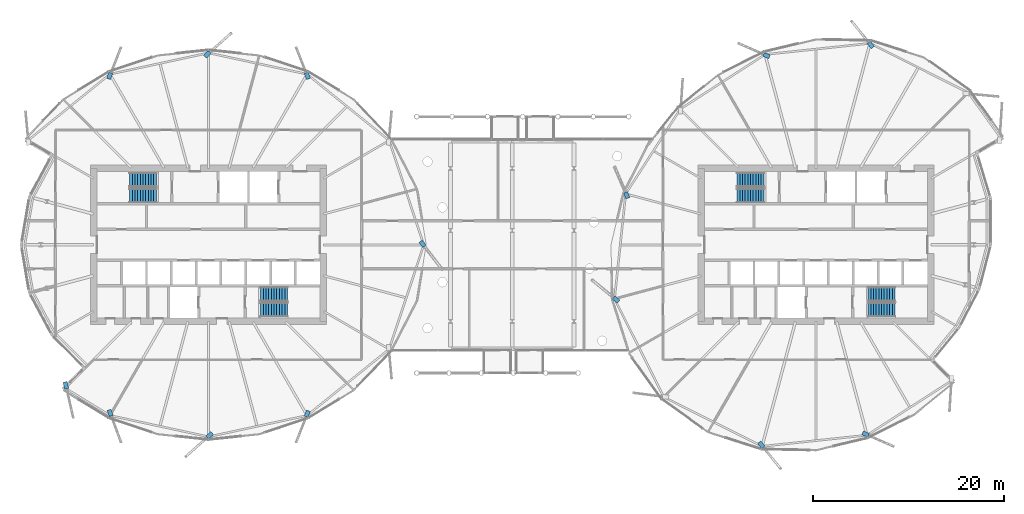
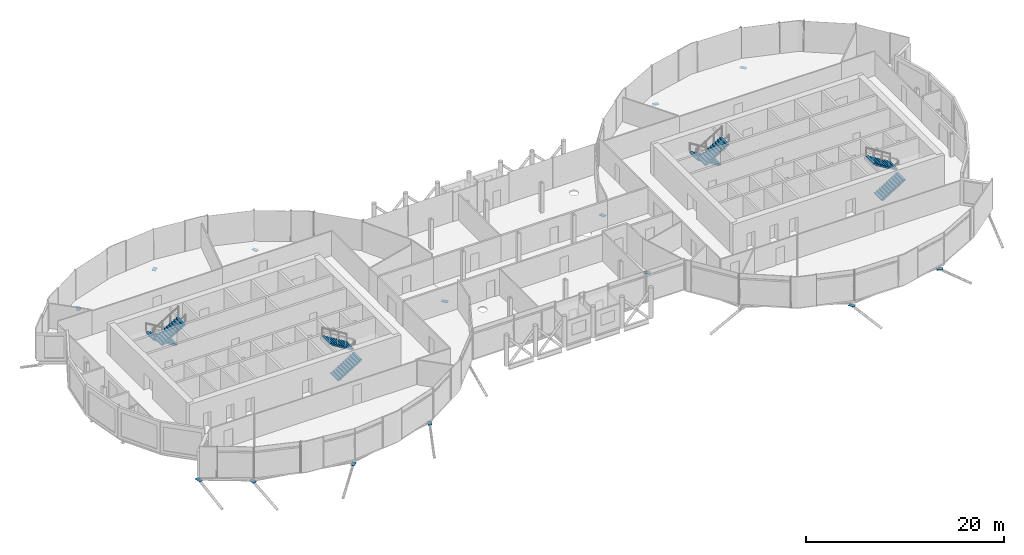
# One storey, part 29 of 39: 14 discrete accessories, 8 stair flights, 4 elements without a shape of their own.
"""IFC4 building model written with IfcOpenShell, lengths in metres."""

import ifcopenshell
import ifcopenshell.guid

model = None  # the IFC model being written
_history = None  # IfcOwnerHistory: only IFC2X3 demands one
_inside = {}  # id of a spatial element -> (the spatial element, [elements in it])
_under = {}  # id of a project, library or spatial element -> (it, [spatial elements below it])
_declared = {}  # id of a project -> (the project, [libraries it declares])
_typed = {}  # id of a type object -> (the type object, [elements of that type])
_made_of = {}  # id of a material, layer set ... -> (it, [elements and type objects made of it])


def new_model(schema):
    """Start an empty IFC model of exactly this schema.

    Asked for "IFC4X3", IfcOpenShell would pick the latest addendum, in which some entities
    have other attributes; the version numbers below select the first issue.
    IFC2X3 requires an IfcOwnerHistory on every rooted entity: one is made here for all.
    """
    global model, _history
    if schema == "IFC4X3":
        model = ifcopenshell.file(schema_version=(4, 3, 0, 0))
    else:
        model = ifcopenshell.file(schema=schema)
    _inside.clear()
    _under.clear()
    _declared.clear()
    _typed.clear()
    _made_of.clear()
    _history = None
    if model.schema == "IFC2X3":
        org = make("IfcOrganization", Name="unknown")
        user = make(
            "IfcPersonAndOrganization",
            ThePerson=make("IfcPerson", FamilyName="unknown"),
            TheOrganization=org,
        )
        app = make(
            "IfcApplication",
            ApplicationDeveloper=org,
            Version="unknown",
            ApplicationFullName="unknown",
            ApplicationIdentifier="unknown",
        )
        _history = make(
            "IfcOwnerHistory",
            OwningUser=user,
            OwningApplication=app,
            ChangeAction="ADDED",
            CreationDate=0,
        )
    return model


def make(cls, **values):
    """One entity of the class cls with the attributes given. An attribute that is None is left unset."""
    return model.create_entity(
        cls, **{name: value for name, value in values.items() if value is not None}
    )


def rooted(cls, **values):
    """An entity with a GlobalId (a new one), such as an element, a storey or a relation."""
    return make(cls, GlobalId=ifcopenshell.guid.new(), OwnerHistory=_history, **values)


def si_unit(unit_type, name, prefix=None):
    """IfcSIUnit, for example si_unit("LENGTHUNIT", "METRE", prefix="MILLI")."""
    return make("IfcSIUnit", UnitType=unit_type, Prefix=prefix, Name=name)


def assignment(units):
    """IfcUnitAssignment: the units of a project."""
    return None if units is None else make("IfcUnitAssignment", Units=units)


def point(xyz):
    """IfcCartesianPoint."""
    return None if xyz is None else make("IfcCartesianPoint", Coordinates=xyz)


def direction(xyz):
    """IfcDirection."""
    return None if xyz is None else make("IfcDirection", DirectionRatios=xyz)


def frame(location, z_axis=None, x_axis=None):
    """IfcAxis2Placement3D, a coordinate frame: its origin and axes. An axis left out is left unset."""
    return make(
        "IfcAxis2Placement3D",
        Location=point(location),
        Axis=direction(z_axis),
        RefDirection=direction(x_axis),
    )


def frame_2d(location, x_axis=None):
    """IfcAxis2Placement2D, a coordinate frame in the plane: its origin and x axis."""
    return make(
        "IfcAxis2Placement2D", Location=point(location), RefDirection=direction(x_axis)
    )


def origin():
    """The frame at (0, 0, 0) with its axes left unset."""
    return frame((0.0, 0.0, 0.0))


def origin_2d():
    """The frame at (0, 0) in the plane with its x axis left unset."""
    return frame_2d((0.0, 0.0))


def place(relative_to, where):
    """IfcLocalPlacement: puts the frame where relative to a parent placement (None: the world)."""
    return make(
        "IfcLocalPlacement", PlacementRelTo=relative_to, RelativePlacement=where
    )


def context(
    kind, dimensions, precision=None, world=None, true_north=None, identifier=None
):
    """IfcGeometricRepresentationContext, for example the 3D "Model" context."""
    return make(
        "IfcGeometricRepresentationContext",
        ContextIdentifier=identifier,
        ContextType=kind,
        CoordinateSpaceDimension=dimensions,
        Precision=precision,
        WorldCoordinateSystem=world,
        TrueNorth=true_north,
    )


def subcontext(parent, identifier, kind, view, scale=None):
    """IfcGeometricRepresentationSubContext, for example "Body" below "Model"."""
    return make(
        "IfcGeometricRepresentationSubContext",
        ContextIdentifier=identifier,
        ContextType=kind,
        ParentContext=parent,
        TargetScale=scale,
        TargetView=view,
    )


def project(units=None, contexts=None):
    """IfcProject with its units and contexts."""
    return rooted(
        "IfcProject",
        Name="project",
        RepresentationContexts=contexts,
        UnitsInContext=assignment(units),
    )


def spatial(cls, under=None, at=None, **own):
    """A site, building, storey or space (cls), placed at a placement, below another one or the project."""
    s = rooted(cls, ObjectPlacement=at, **own)
    if under is not None:
        _under.setdefault(under.id(), (under, []))[1].append(s)
    return s


def polyline(points):
    """IfcPolyline through the points."""
    return make("IfcPolyline", Points=[point(p) for p in points])


def profile(cls, at=None, kind="AREA", **sizes):
    """A parametric profile (cls). Its sizes go by their IFC names, for example OverallWidth=200.0."""
    return make(cls, ProfileType=kind, Position=at, **sizes)


def rectangle(**sizes):
    """IfcRectangleProfileDef."""
    return profile("IfcRectangleProfileDef", **sizes)


def outline(outer, holes=None, kind="AREA"):
    """IfcArbitraryClosedProfileDef: a profile drawn as a closed curve; with holes, ...WithVoids."""
    if holes is None:
        return make("IfcArbitraryClosedProfileDef", ProfileType=kind, OuterCurve=outer)
    return make(
        "IfcArbitraryProfileDefWithVoids",
        ProfileType=kind,
        OuterCurve=outer,
        InnerCurves=holes,
    )


def extrude(swept, where, along, depth):
    """IfcExtrudedAreaSolid: the profile swept, set in the frame where, extruded along a direction by depth."""
    return make(
        "IfcExtrudedAreaSolid",
        SweptArea=swept,
        Position=where,
        ExtrudedDirection=direction(along),
        Depth=depth,
    )


def shape(context_of_items, identifier, shape_type, items):
    """IfcShapeRepresentation: the items that make up one representation, for example the "Body"."""
    return make(
        "IfcShapeRepresentation",
        ContextOfItems=context_of_items,
        RepresentationIdentifier=identifier,
        RepresentationType=shape_type,
        Items=items,
    )


def material(Name=None, Category=None):
    """IfcMaterial."""
    return make("IfcMaterial", Name=Name, Category=Category)


def material_profile(
    of_material, cross_section, Name=None, Category=None, Priority=None
):
    """IfcMaterialProfile: a cross section and its material."""
    return make(
        "IfcMaterialProfile",
        Name=Name,
        Material=of_material,
        Profile=cross_section,
        Priority=Priority,
        Category=Category,
    )


def profile_set(profiles, Name=None, composite=None):
    """IfcMaterialProfileSet."""
    return make(
        "IfcMaterialProfileSet",
        Name=Name,
        MaterialProfiles=profiles,
        CompositeProfile=composite,
    )


def made_of(thing, what):
    """Note that an element or type object is made of a material, layer set ...; save() writes the relation."""
    if what is not None:
        _made_of.setdefault(what.id(), (what, []))[1].append(thing)
    return thing


def type_object(cls, material=None, **own):
    """A type object (cls), such as IfcWallType, which elements share."""
    return made_of(rooted(cls, **own), material)


def element(
    cls,
    number,
    at=None,
    inside=None,
    cuts=None,
    type_object=None,
    material=None,
    context=None,
    identifier="Body",
    shape_type=None,
    held_by="IfcProductDefinitionShape",
    body=None,
    shapes=None,
    **own,
):
    """One element of the class cls, such as IfcWall. Its Tag is "e" and its number.

    at: its placement. inside: the storey or other place that contains it. cuts: it is an
    opening in that element (IfcRelVoidsElement). A single representation is given by context,
    identifier, shape_type and body (its items); several are given by shapes. held_by: the class
    of the entity that holds the representations. save() writes the other relations.
    """
    e = rooted(cls, Tag="e%d" % number, ObjectPlacement=at, **own)
    if body is not None:
        shapes = [shape(context, identifier, shape_type, body)]
    if shapes is not None:
        e.Representation = make(held_by, Representations=shapes)
    if inside is not None:
        _inside.setdefault(inside.id(), (inside, []))[1].append(e)
    if cuts is not None:
        rooted(
            "IfcRelVoidsElement", RelatingBuildingElement=cuts, RelatedOpeningElement=e
        )
    if type_object is not None:
        _typed.setdefault(type_object.id(), (type_object, []))[1].append(e)
    return made_of(e, material)


def aggregate(whole, parts):
    """IfcRelAggregates: a whole, such as a stair, and the parts it consists of."""
    return rooted("IfcRelAggregates", RelatingObject=whole, RelatedObjects=parts)


def save(model, path):
    """Write the relations noted so far, then the file.

    IfcRelAggregates (storeys below a building ...), IfcRelContainedInSpatialStructure (elements
    in a storey), IfcRelDefinesByType, IfcRelAssociatesMaterial and IfcRelDeclares: one each for
    every whole, place, type object, material and project.
    """
    for whole, parts in _under.values():
        aggregate(whole, parts)
    for where, things in _inside.values():
        rooted(
            "IfcRelContainedInSpatialStructure",
            RelatedElements=things,
            RelatingStructure=where,
        )
    for kind, things in _typed.values():
        rooted("IfcRelDefinesByType", RelatedObjects=things, RelatingType=kind)
    for what, things in _made_of.values():
        rooted("IfcRelAssociatesMaterial", RelatedObjects=things, RelatingMaterial=what)
    for by, libraries in _declared.values():
        rooted("IfcRelDeclares", RelatingContext=by, RelatedDefinitions=libraries)
    model.write(path)


model = new_model("IFC4")

# Units and contexts
model_context = context("Model", 3, precision=1e-05, world=origin(), true_north=direction((0.0, 1.0)))
body_context = subcontext(model_context, "Body", "Model", "MODEL_VIEW")
ifc_project = project(units=[si_unit("LENGTHUNIT", "METRE"), si_unit("AREAUNIT", "SQUARE_METRE"), si_unit("VOLUMEUNIT", "CUBIC_METRE"), si_unit("PLANEANGLEUNIT", "RADIAN"), si_unit("MASSUNIT", "GRAM", prefix="KILO")], contexts=[model_context])

# Site, building, storey
site_placement = place(None, origin())
site = spatial("IfcSite", under=ifc_project, at=site_placement, CompositionType="ELEMENT")
building_placement = place(site_placement, origin())
building = spatial("IfcBuilding", under=site, at=building_placement, Name="Rimbun Link Towers", CompositionType="ELEMENT")
storey_placement = place(building_placement, frame((0.0, 0.0, 139.199951171875)))
storey = spatial("IfcBuildingStorey", under=building, at=storey_placement, Name="L33", CompositionType="ELEMENT", Elevation=139.199951171875)

# Stair, stair flights
ifc_material_1 = material(Name="Concrete C40/50", Category="concrete")
stair_type = type_object("IfcStairType", Name="Exit stair 3800 rise", PredefinedType="HALF_TURN_STAIR", material=ifc_material_1)
stair_1_placement = place(storey_placement, origin())
stair_1 = element("IfcStair", 1, at=stair_1_placement, inside=storey, type_object=stair_type, Name="L33 EXIT STAIR A", PredefinedType="HALF_TURN_STAIR")
ifc_material_2 = material(Name="Concrete C40/50", Category="concrete")
stair_flight_type = type_object("IfcStairFlightType", Name="Exit stair flight 3800 rise", PredefinedType="STRAIGHT", material=ifc_material_2)
stair_flight_1_placement = place(storey_placement, frame((-37.199951171875, 6.800048828125, 0.0), z_axis=(0.0, 0.0, 1.0), x_axis=(-1.0, 0.0, 0.0)))
stair_flight_1 = element("IfcStairFlight", 2, at=stair_flight_1_placement, type_object=stair_flight_type, Name="ST1 flight 1", NumberOfRisers=11, NumberOfTreads=10, PredefinedType="STRAIGHT", RiserHeight=0.172727273, TreadLength=0.28, context=body_context, shape_type="SweptSolid", body=[
    extrude(outline(polyline([(0.0, 0.0), (0.0, 0.172607421875), (0.280029296875, 0.172607421875), (0.280029296875, 0.345458984375), (0.56005859375, 0.345458984375), (0.56005859375, 0.51806640625), (0.840087890625, 0.51806640625), (0.840087890625, 0.69091796875), (1.1201171875, 0.69091796875), (1.1201171875, 0.863525390625), (1.39990234375, 0.863525390625), (1.39990234375, 1.036376953125), (1.679931640625, 1.036376953125), (1.679931640625, 1.208984375), (1.9599609375, 1.208984375), (1.9599609375, 1.3818359375), (2.239990234375, 1.3818359375), (2.239990234375, 1.554443359375), (2.52001953125, 1.554443359375), (2.52001953125, 1.727294921875), (2.800048828125, 1.727294921875), (2.800048828125, 1.89990234375), (2.800048828125, 1.551025390625), (0.280029296875, 0.0), (0.0, 0.0)])), frame((0.0, 0.75, 0.0), z_axis=(0.0, -1.0, 0.0), x_axis=(1.0, 0.0, 0.0)), (0.0, 0.0, 1.0), 1.5),
])
stair_flight_2_placement = place(storey_placement, frame((-40.0, 5.14990234375, 1.900146484375), z_axis=(0.0, 0.0, 1.0), x_axis=(1.0, 0.0, 0.0)))
stair_flight_2 = element("IfcStairFlight", 3, at=stair_flight_2_placement, type_object=stair_flight_type, Name="ST1 flight 2", NumberOfRisers=11, NumberOfTreads=10, PredefinedType="STRAIGHT", RiserHeight=0.172727273, TreadLength=0.28, context=body_context, shape_type="SweptSolid", body=[
    extrude(outline(polyline([(0.0, 0.0), (0.0, 0.172607421875), (0.280029296875, 0.172607421875), (0.280029296875, 0.345458984375), (0.56005859375, 0.345458984375), (0.56005859375, 0.51806640625), (0.840087890625, 0.51806640625), (0.840087890625, 0.69091796875), (1.1201171875, 0.69091796875), (1.1201171875, 0.863525390625), (1.39990234375, 0.863525390625), (1.39990234375, 1.036376953125), (1.679931640625, 1.036376953125), (1.679931640625, 1.208984375), (1.9599609375, 1.208984375), (1.9599609375, 1.3818359375), (2.239990234375, 1.3818359375), (2.239990234375, 1.554443359375), (2.52001953125, 1.554443359375), (2.52001953125, 1.727294921875), (2.800048828125, 1.727294921875), (2.800048828125, 1.89990234375), (2.800048828125, 1.551025390625), (0.280029296875, 0.0), (0.0, 0.0)])), frame((0.0, 0.75, 0.0), z_axis=(0.0, -1.0, 0.0), x_axis=(1.0, 0.0, 0.0)), (0.0, 0.0, 1.0), 1.5),
])
aggregate(stair_1, [stair_flight_1, stair_flight_2])

stair_2_placement = place(storey_placement, origin())
stair_2 = element("IfcStair", 4, at=stair_2_placement, inside=storey, type_object=stair_type, Name="L33 EXIT STAIR B", PredefinedType="HALF_TURN_STAIR")
stair_flight_3_placement = place(storey_placement, frame((-26.300048828125, -6.800048828125, 0.0), z_axis=(0.0, 0.0, 1.0), x_axis=(1.0, 0.0, 0.0)))
stair_flight_3 = element("IfcStairFlight", 5, at=stair_flight_3_placement, type_object=stair_flight_type, Name="ST2 flight 1", NumberOfRisers=11, NumberOfTreads=10, PredefinedType="STRAIGHT", RiserHeight=0.172727273, TreadLength=0.28, context=body_context, shape_type="SweptSolid", body=[
    extrude(outline(polyline([(0.0, 0.0), (0.0, 0.172607421875), (0.280029296875, 0.172607421875), (0.280029296875, 0.345458984375), (0.56005859375, 0.345458984375), (0.56005859375, 0.51806640625), (0.840087890625, 0.51806640625), (0.840087890625, 0.69091796875), (1.1201171875, 0.69091796875), (1.1201171875, 0.863525390625), (1.39990234375, 0.863525390625), (1.39990234375, 1.036376953125), (1.679931640625, 1.036376953125), (1.679931640625, 1.208984375), (1.9599609375, 1.208984375), (1.9599609375, 1.3818359375), (2.239990234375, 1.3818359375), (2.239990234375, 1.554443359375), (2.52001953125, 1.554443359375), (2.52001953125, 1.727294921875), (2.800048828125, 1.727294921875), (2.800048828125, 1.89990234375), (2.800048828125, 1.551025390625), (0.280029296875, 0.0), (0.0, 0.0)])), frame((0.0, 0.75, 0.0), z_axis=(0.0, -1.0, 0.0), x_axis=(1.0, 0.0, 0.0)), (0.0, 0.0, 1.0), 1.5),
])
stair_flight_4_placement = place(storey_placement, frame((-23.5, -5.14990234375, 1.900146484375), z_axis=(0.0, 0.0, 1.0), x_axis=(-1.0, 0.0, 0.0)))
stair_flight_4 = element("IfcStairFlight", 6, at=stair_flight_4_placement, type_object=stair_flight_type, Name="ST2 flight 2", NumberOfRisers=11, NumberOfTreads=10, PredefinedType="STRAIGHT", RiserHeight=0.172727273, TreadLength=0.28, context=body_context, shape_type="SweptSolid", body=[
    extrude(outline(polyline([(0.0, 0.0), (0.0, 0.172607421875), (0.280029296875, 0.172607421875), (0.280029296875, 0.345458984375), (0.56005859375, 0.345458984375), (0.56005859375, 0.51806640625), (0.840087890625, 0.51806640625), (0.840087890625, 0.69091796875), (1.1201171875, 0.69091796875), (1.1201171875, 0.863525390625), (1.39990234375, 0.863525390625), (1.39990234375, 1.036376953125), (1.679931640625, 1.036376953125), (1.679931640625, 1.208984375), (1.9599609375, 1.208984375), (1.9599609375, 1.3818359375), (2.239990234375, 1.3818359375), (2.239990234375, 1.554443359375), (2.52001953125, 1.554443359375), (2.52001953125, 1.727294921875), (2.800048828125, 1.727294921875), (2.800048828125, 1.89990234375), (2.800048828125, 1.551025390625), (0.280029296875, 0.0), (0.0, 0.0)])), frame((0.0, 0.75, 0.0), z_axis=(0.0, -1.0, 0.0), x_axis=(1.0, 0.0, 0.0)), (0.0, 0.0, 1.0), 1.5),
])
aggregate(stair_2, [stair_flight_3, stair_flight_4])

stair_3_placement = place(storey_placement, origin())
stair_3 = element("IfcStair", 7, at=stair_3_placement, inside=storey, type_object=stair_type, Name="L33 EXIT STAIR A", PredefinedType="HALF_TURN_STAIR")
stair_flight_5_placement = place(storey_placement, frame((26.300048828125, 6.800048828125, 0.0), z_axis=(0.0, 0.0, 1.0), x_axis=(-1.0, 0.0, 0.0)))
stair_flight_5 = element("IfcStairFlight", 8, at=stair_flight_5_placement, type_object=stair_flight_type, Name="ST3 flight 1", NumberOfRisers=11, NumberOfTreads=10, PredefinedType="STRAIGHT", RiserHeight=0.172727273, TreadLength=0.28, context=body_context, shape_type="SweptSolid", body=[
    extrude(outline(polyline([(0.0, 0.0), (0.0, 0.172607421875), (0.280029296875, 0.172607421875), (0.280029296875, 0.345458984375), (0.56005859375, 0.345458984375), (0.56005859375, 0.51806640625), (0.840087890625, 0.51806640625), (0.840087890625, 0.69091796875), (1.1201171875, 0.69091796875), (1.1201171875, 0.863525390625), (1.39990234375, 0.863525390625), (1.39990234375, 1.036376953125), (1.679931640625, 1.036376953125), (1.679931640625, 1.208984375), (1.9599609375, 1.208984375), (1.9599609375, 1.3818359375), (2.239990234375, 1.3818359375), (2.239990234375, 1.554443359375), (2.52001953125, 1.554443359375), (2.52001953125, 1.727294921875), (2.800048828125, 1.727294921875), (2.800048828125, 1.89990234375), (2.800048828125, 1.551025390625), (0.280029296875, 0.0), (0.0, 0.0)])), frame((0.0, 0.75, 0.0), z_axis=(0.0, -1.0, 0.0), x_axis=(1.0, 0.0, 0.0)), (0.0, 0.0, 1.0), 1.5),
])
stair_flight_6_placement = place(storey_placement, frame((23.5, 5.14990234375, 1.900146484375), z_axis=(0.0, 0.0, 1.0), x_axis=(1.0, 0.0, 0.0)))
stair_flight_6 = element("IfcStairFlight", 9, at=stair_flight_6_placement, type_object=stair_flight_type, Name="ST3 flight 2", NumberOfRisers=11, NumberOfTreads=10, PredefinedType="STRAIGHT", RiserHeight=0.172727273, TreadLength=0.28, context=body_context, shape_type="SweptSolid", body=[
    extrude(outline(polyline([(0.0, 0.0), (0.0, 0.172607421875), (0.280029296875, 0.172607421875), (0.280029296875, 0.345458984375), (0.56005859375, 0.345458984375), (0.56005859375, 0.51806640625), (0.840087890625, 0.51806640625), (0.840087890625, 0.69091796875), (1.1201171875, 0.69091796875), (1.1201171875, 0.863525390625), (1.39990234375, 0.863525390625), (1.39990234375, 1.036376953125), (1.679931640625, 1.036376953125), (1.679931640625, 1.208984375), (1.9599609375, 1.208984375), (1.9599609375, 1.3818359375), (2.239990234375, 1.3818359375), (2.239990234375, 1.554443359375), (2.52001953125, 1.554443359375), (2.52001953125, 1.727294921875), (2.800048828125, 1.727294921875), (2.800048828125, 1.89990234375), (2.800048828125, 1.551025390625), (0.280029296875, 0.0), (0.0, 0.0)])), frame((0.0, 0.75, 0.0), z_axis=(0.0, -1.0, 0.0), x_axis=(1.0, 0.0, 0.0)), (0.0, 0.0, 1.0), 1.5),
])
aggregate(stair_3, [stair_flight_5, stair_flight_6])

stair_4_placement = place(storey_placement, origin())
stair_4 = element("IfcStair", 10, at=stair_4_placement, inside=storey, type_object=stair_type, Name="L33 EXIT STAIR B", PredefinedType="HALF_TURN_STAIR")
stair_flight_7_placement = place(storey_placement, frame((37.199951171875, -6.800048828125, 0.0), z_axis=(0.0, 0.0, 1.0), x_axis=(1.0, 0.0, 0.0)))
stair_flight_7 = element("IfcStairFlight", 11, at=stair_flight_7_placement, type_object=stair_flight_type, Name="ST4 flight 1", NumberOfRisers=11, NumberOfTreads=10, PredefinedType="STRAIGHT", RiserHeight=0.172727273, TreadLength=0.28, context=body_context, shape_type="SweptSolid", body=[
    extrude(outline(polyline([(0.0, 0.0), (0.0, 0.172607421875), (0.280029296875, 0.172607421875), (0.280029296875, 0.345458984375), (0.56005859375, 0.345458984375), (0.56005859375, 0.51806640625), (0.840087890625, 0.51806640625), (0.840087890625, 0.69091796875), (1.1201171875, 0.69091796875), (1.1201171875, 0.863525390625), (1.39990234375, 0.863525390625), (1.39990234375, 1.036376953125), (1.679931640625, 1.036376953125), (1.679931640625, 1.208984375), (1.9599609375, 1.208984375), (1.9599609375, 1.3818359375), (2.239990234375, 1.3818359375), (2.239990234375, 1.554443359375), (2.52001953125, 1.554443359375), (2.52001953125, 1.727294921875), (2.800048828125, 1.727294921875), (2.800048828125, 1.89990234375), (2.800048828125, 1.551025390625), (0.280029296875, 0.0), (0.0, 0.0)])), frame((0.0, 0.75, 0.0), z_axis=(0.0, -1.0, 0.0), x_axis=(1.0, 0.0, 0.0)), (0.0, 0.0, 1.0), 1.5),
])
stair_flight_8_placement = place(storey_placement, frame((40.0, -5.14990234375, 1.900146484375), z_axis=(0.0, 0.0, 1.0), x_axis=(-1.0, 0.0, 0.0)))
stair_flight_8 = element("IfcStairFlight", 12, at=stair_flight_8_placement, type_object=stair_flight_type, Name="ST4 flight 2", NumberOfRisers=11, NumberOfTreads=10, PredefinedType="STRAIGHT", RiserHeight=0.172727273, TreadLength=0.28, context=body_context, shape_type="SweptSolid", body=[
    extrude(outline(polyline([(0.0, 0.0), (0.0, 0.172607421875), (0.280029296875, 0.172607421875), (0.280029296875, 0.345458984375), (0.56005859375, 0.345458984375), (0.56005859375, 0.51806640625), (0.840087890625, 0.51806640625), (0.840087890625, 0.69091796875), (1.1201171875, 0.69091796875), (1.1201171875, 0.863525390625), (1.39990234375, 0.863525390625), (1.39990234375, 1.036376953125), (1.679931640625, 1.036376953125), (1.679931640625, 1.208984375), (1.9599609375, 1.208984375), (1.9599609375, 1.3818359375), (2.239990234375, 1.3818359375), (2.239990234375, 1.554443359375), (2.52001953125, 1.554443359375), (2.52001953125, 1.727294921875), (2.800048828125, 1.727294921875), (2.800048828125, 1.89990234375), (2.800048828125, 1.551025390625), (0.280029296875, 0.0), (0.0, 0.0)])), frame((0.0, 0.75, 0.0), z_axis=(0.0, -1.0, 0.0), x_axis=(1.0, 0.0, 0.0)), (0.0, 0.0, 1.0), 1.5),
])
aggregate(stair_4, [stair_flight_7, stair_flight_8])

# Discrete accessories
ifc_material_3 = material(Name="Steel S355J2H", Category="steel")
ifc_material_profile = material_profile(ifc_material_3, rectangle(XDim=0.43310546875, YDim=0.43310546875, at=origin_2d()), Name="PL 433x433")
ifc_profile_set = profile_set([ifc_material_profile], Name="Steel S355J2H")
discrete_accessory_type = type_object("IfcDiscreteAccessoryType", Name="Link head end plate 433X20", PredefinedType="BRACKET", material=ifc_profile_set)
discrete_accessory_1_placement = place(storey_placement, frame((0.0, 0.0, -0.733154296875)))
element("IfcDiscreteAccessory", 13, at=discrete_accessory_1_placement, inside=storey, type_object=discrete_accessory_type, Name="Link head end plate T1 L33 00", PredefinedType="BRACKET", context=body_context, shape_type="SweptSolid", body=[
    extrude(outline(polyline([(-9.755615234375, 0.2373046875), (-9.3583984375, -0.27880859375), (-9.015380859375, -0.014892578125), (-9.41259765625, 0.501220703125), (-9.755615234375, 0.2373046875)])), origin(), (0.0, 0.0, 1.0), 0.02001953125),
])
discrete_accessory_2_placement = place(storey_placement, frame((0.0, 0.0, -0.802490234375)))
element("IfcDiscreteAccessory", 14, at=discrete_accessory_2_placement, inside=storey, type_object=discrete_accessory_type, Name="Link head end plate T1 L33 04", PredefinedType="BRACKET", context=body_context, shape_type="SweptSolid", body=[
    extrude(outline(polyline([(-21.098876953125, 17.423095703125), (-21.34326171875, 18.0439453125), (-21.74609375, 17.885498046875), (-21.501953125, 17.2646484375), (-21.098876953125, 17.423095703125)])), origin(), (0.0, 0.0, 1.0), 0.02001953125),
])
discrete_accessory_3_placement = place(storey_placement, frame((0.0, 0.0, -0.883544921875)))
element("IfcDiscreteAccessory", 15, at=discrete_accessory_3_placement, inside=storey, type_object=discrete_accessory_type, Name="Link head end plate T1 L33 06", PredefinedType="BRACKET", context=body_context, shape_type="SweptSolid", body=[
    extrude(outline(polyline([(-31.98486328125, 19.515625), (-31.46923828125, 19.97412109375), (-31.757080078125, 20.297607421875), (-32.272705078125, 19.839111328125), (-31.98486328125, 19.515625)])), origin(), (0.0, 0.0, 1.0), 0.02001953125),
])
discrete_accessory_4_placement = place(storey_placement, frame((0.0, 0.0, -0.802490234375)))
element("IfcDiscreteAccessory", 16, at=discrete_accessory_4_placement, inside=storey, type_object=discrete_accessory_type, Name="Link head end plate T1 L33 08", PredefinedType="BRACKET", context=body_context, shape_type="SweptSolid", body=[
    extrude(outline(polyline([(-41.998046875, 17.2646484375), (-41.75390625, 17.885498046875), (-42.15673828125, 18.0439453125), (-42.401123046875, 17.423095703125), (-41.998046875, 17.2646484375)])), origin(), (0.0, 0.0, 1.0), 0.02001953125),
])
discrete_accessory_5_placement = place(storey_placement, frame((0.0, 0.0, -0.733154296875)))
element("IfcDiscreteAccessory", 17, at=discrete_accessory_5_placement, inside=storey, type_object=discrete_accessory_type, Name="Link head end plate T1 L33 15", PredefinedType="BRACKET", context=body_context, shape_type="SweptSolid", body=[
    extrude(outline(polyline([(-46.95751953125, -14.371826171875), (-46.79248046875, -15.09619140625), (-46.370361328125, -15.0), (-46.535400390625, -14.275634765625), (-46.95751953125, -14.371826171875)])), origin(), (0.0, 0.0, 1.0), 0.02001953125),
])
discrete_accessory_6_placement = place(storey_placement, frame((0.0, 0.0, -0.802490234375)))
element("IfcDiscreteAccessory", 18, at=discrete_accessory_6_placement, inside=storey, type_object=discrete_accessory_type, Name="Link head end plate T1 L33 16", PredefinedType="BRACKET", context=body_context, shape_type="SweptSolid", body=[
    extrude(outline(polyline([(-42.3505859375, -17.33154296875), (-42.116943359375, -17.962890625), (-41.7109375, -17.8125), (-41.944580078125, -17.181396484375), (-42.3505859375, -17.33154296875)])), origin(), (0.0, 0.0, 1.0), 0.02001953125),
])
discrete_accessory_7_placement = place(storey_placement, frame((0.0, 0.0, -0.883544921875)))
element("IfcDiscreteAccessory", 19, at=discrete_accessory_7_placement, inside=storey, type_object=discrete_accessory_type, Name="Link head end plate T1 L33 18", PredefinedType="BRACKET", context=body_context, shape_type="SweptSolid", body=[
    extrude(outline(polyline([(-31.51513671875, -19.515625), (-32.03076171875, -19.97412109375), (-31.742919921875, -20.297607421875), (-31.227294921875, -19.839111328125), (-31.51513671875, -19.515625)])), origin(), (0.0, 0.0, 1.0), 0.02001953125),
])
discrete_accessory_8_placement = place(storey_placement, frame((0.0, 0.0, -0.802490234375)))
element("IfcDiscreteAccessory", 20, at=discrete_accessory_8_placement, inside=storey, type_object=discrete_accessory_type, Name="Link head end plate T1 L33 20", PredefinedType="BRACKET", context=body_context, shape_type="SweptSolid", body=[
    extrude(outline(polyline([(-21.501953125, -17.2646484375), (-21.74609375, -17.885498046875), (-21.34326171875, -18.0439453125), (-21.098876953125, -17.423095703125), (-21.501953125, -17.2646484375)])), origin(), (0.0, 0.0, 1.0), 0.02001953125),
])
discrete_accessory_9_placement = place(storey_placement, frame((0.0, 0.0, -0.883544921875)))
element("IfcDiscreteAccessory", 21, at=discrete_accessory_9_placement, inside=storey, type_object=discrete_accessory_type, Name="Link head end plate T2 L33 02", PredefinedType="BRACKET", context=body_context, shape_type="SweptSolid", body=[
    extrude(outline(polyline([(37.8583984375, 20.76806640625), (37.43310546875, 21.293212890625), (37.0966796875, 21.020751953125), (37.521728515625, 20.49560546875), (37.8583984375, 20.76806640625)])), origin(), (0.0, 0.0, 1.0), 0.02001953125),
])
discrete_accessory_10_placement = place(storey_placement, frame((0.0, 0.0, -0.883544921875)))
element("IfcDiscreteAccessory", 22, at=discrete_accessory_10_placement, inside=storey, type_object=discrete_accessory_type, Name="Link head end plate T2 L33 04", PredefinedType="BRACKET", context=body_context, shape_type="SweptSolid", body=[
    extrude(outline(polyline([(26.96728515625, 19.847412109375), (26.3505859375, 20.117919921875), (26.1767578125, 19.721435546875), (26.793212890625, 19.450927734375), (26.96728515625, 19.847412109375)])), origin(), (0.0, 0.0, 1.0), 0.02001953125),
])
discrete_accessory_11_placement = place(storey_placement, frame((0.0, 0.0, -0.6533203125)))
element("IfcDiscreteAccessory", 23, at=discrete_accessory_11_placement, inside=storey, type_object=discrete_accessory_type, Name="Link head end plate T2 L33 08", PredefinedType="BRACKET", context=body_context, shape_type="SweptSolid", body=[
    extrude(outline(polyline([(12.2890625, 4.9697265625), (12.0302734375, 5.572998046875), (11.63232421875, 5.40234375), (11.89111328125, 4.799072265625), (12.2890625, 4.9697265625)])), origin(), (0.0, 0.0, 1.0), 0.02001953125),
])
discrete_accessory_12_placement = place(storey_placement, frame((0.0, 0.0, -0.733154296875)))
element("IfcDiscreteAccessory", 24, at=discrete_accessory_12_placement, inside=storey, type_object=discrete_accessory_type, Name="Link head end plate T2 L33 10", PredefinedType="BRACKET", context=body_context, shape_type="SweptSolid", body=[
    extrude(outline(polyline([(11.24462890625, -5.76708984375), (10.73046875, -5.34619140625), (10.4560546875, -5.681396484375), (10.97021484375, -6.102294921875), (11.24462890625, -5.76708984375)])), origin(), (0.0, 0.0, 1.0), 0.02001953125),
])
discrete_accessory_13_placement = place(storey_placement, frame((0.0, 0.0, -0.883544921875)))
element("IfcDiscreteAccessory", 25, at=discrete_accessory_13_placement, inside=storey, type_object=discrete_accessory_type, Name="Link head end plate T2 L33 14", PredefinedType="BRACKET", context=body_context, shape_type="SweptSolid", body=[
    extrude(outline(polyline([(25.6416015625, -20.76806640625), (26.06689453125, -21.293212890625), (26.4033203125, -21.020751953125), (25.978271484375, -20.49560546875), (25.6416015625, -20.76806640625)])), origin(), (0.0, 0.0, 1.0), 0.02001953125),
])
discrete_accessory_14_placement = place(storey_placement, frame((0.0, 0.0, -0.883544921875)))
element("IfcDiscreteAccessory", 26, at=discrete_accessory_14_placement, inside=storey, type_object=discrete_accessory_type, Name="Link head end plate T2 L33 16", PredefinedType="BRACKET", context=body_context, shape_type="SweptSolid", body=[
    extrude(outline(polyline([(36.53271484375, -19.847412109375), (37.1494140625, -20.117919921875), (37.3232421875, -19.721435546875), (36.706787109375, -19.450927734375), (36.53271484375, -19.847412109375)])), origin(), (0.0, 0.0, 1.0), 0.02001953125),
])

save(model, "model.ifc")
